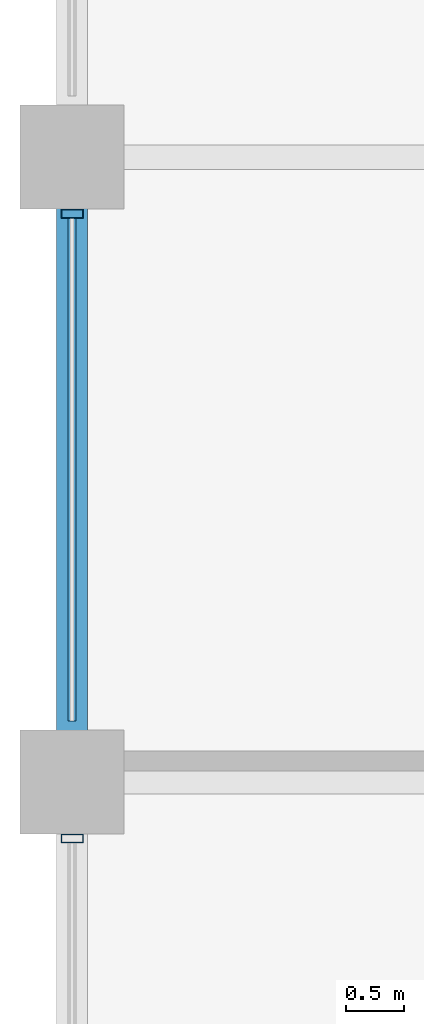
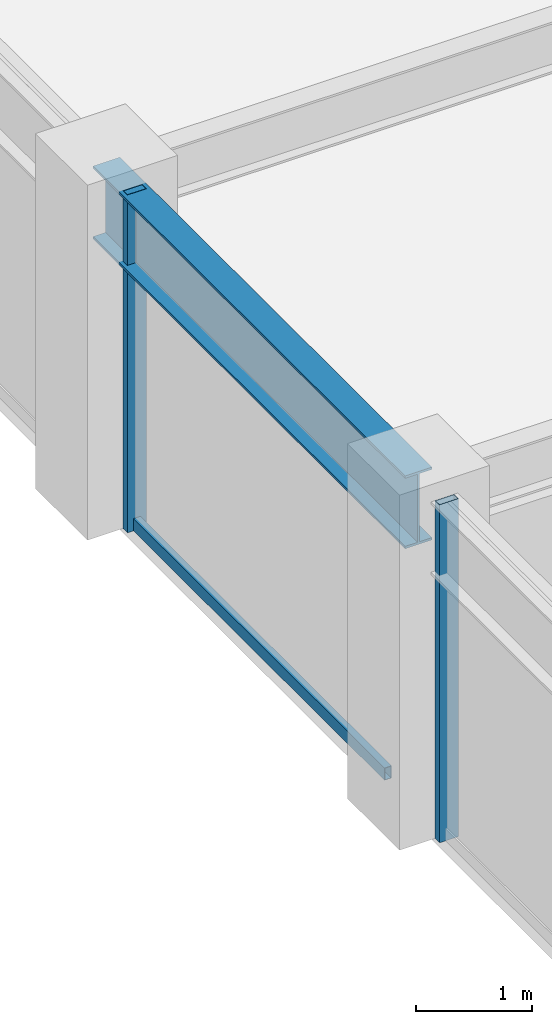
# One storey, part 10 of 32: 3 members, 1 beam, 1 element without a shape of its own.
"""IFC4 building model written with IfcOpenShell, lengths in metres."""

from ifc_helpers import new_model, si_unit, direction, frame, origin, origin_2d, place, context, subcontext, project, spatial, hollow_rectangle, i_section, extrude, material, layer, layer_set, material_profile, profile_set, type_object, element, aggregate, save


model = new_model("IFC4")

# Units and contexts
model_context = context("Model", 3, precision=1e-05, world=origin(), true_north=direction((0.0, 1.0)))
body_context = subcontext(model_context, "Body", "Model", "MODEL_VIEW")
ifc_project = project(units=[si_unit("LENGTHUNIT", "METRE"), si_unit("AREAUNIT", "SQUARE_METRE"), si_unit("VOLUMEUNIT", "CUBIC_METRE"), si_unit("PLANEANGLEUNIT", "RADIAN"), si_unit("MASSUNIT", "GRAM", prefix="KILO")], contexts=[model_context])

# Site, building, storey
site_placement = place(None, origin())
site = spatial("IfcSite", under=ifc_project, at=site_placement, CompositionType="ELEMENT")
building_placement = place(site_placement, origin())
building = spatial("IfcBuilding", under=site, at=building_placement, Name="Surkhivell Harbour Commons", CompositionType="ELEMENT")
storey_placement = place(building_placement, frame((0.0, 0.0, 212.25)))
storey = spatial("IfcBuildingStorey", under=building, at=storey_placement, Name="L55", CompositionType="ELEMENT", Elevation=212.25)

# Beam
ifc_material_1 = material(Name="Steel S355", Category="steel")
ifc_material_profile_1 = material_profile(ifc_material_1, i_section(OverallWidth=0.26806640625, OverallDepth=0.77001953125, WebThickness=0.015625, FlangeThickness=0.025390625, at=origin_2d()), Name="UB762x267x197")
ifc_profile_set_1 = profile_set([ifc_material_profile_1], Name="Steel S355")
beam_type = type_object("IfcBeamType", Name="BM-SPN-762", PredefinedType="SPANDREL", material=ifc_profile_set_1)
beam_placement = place(storey_placement, frame((-27.0, 5.39990234375, 3.18505859375), z_axis=(0.0, 1.0, 0.0), x_axis=(-1.0, 0.0, 0.0)))
element("IfcBeam", 1, at=beam_placement, inside=storey, type_object=beam_type, Name="L55 Tube Spandrel (-27.0,5.4)", PredefinedType="SPANDREL", context=body_context, shape_type="SweptSolid", body=[
    extrude(i_section(OverallWidth=0.26806640625, OverallDepth=0.77001953125, WebThickness=0.015625, FlangeThickness=0.025390625, at=origin_2d()), origin(), (0.0, 0.0, 1.0), 5.400146484375),
])

# Curtain wall, members
ifc_material_2 = material(Name="Anodised pale-metal aluminium and insulated glazing", Category="aluminium")
ifc_layer = layer(ifc_material_2, 0.18994140625)
ifc_layer_set = layer_set([ifc_layer], Name="Anodised pale-metal aluminium and insulated glazing")
curtain_wall_type = type_object("IfcCurtainWallType", Name="CW-SYS-Z3", PredefinedType="NOTDEFINED", material=ifc_layer_set)
curtain_wall_placement = place(storey_placement, origin())
curtain_wall = element("IfcCurtainWall", 2, at=curtain_wall_placement, inside=storey, type_object=curtain_wall_type, Name="L55 Curtain Wall CW-L55-E12S1", PredefinedType="NOTDEFINED")
ifc_material_3 = material(Name="Anodised pale-metal aluminium alloy 6063-T6", Category="aluminium")
ifc_material_profile_2 = material_profile(ifc_material_3, hollow_rectangle(XDim=0.074951171875, YDim=0.18994140625, WallThickness=0.00390625, at=origin_2d()), Name="ALU-MULL-75x190")
ifc_profile_set_2 = profile_set([ifc_material_profile_2], Name="Anodised pale-metal aluminium alloy 6063-T6")
member_type_1 = type_object("IfcMemberType", Name="CWM-190", PredefinedType="MULLION", material=ifc_profile_set_2)
member_1_placement = place(storey_placement, frame((-27.0, 10.310546875, 0.0), z_axis=(0.0, 0.0, 1.0), x_axis=(0.0, -1.0, 0.0)))
member_1 = element("IfcMember", 3, at=member_1_placement, type_object=member_type_1, Name="CW-Z3 mullion 3", PredefinedType="MULLION", context=body_context, shape_type="SweptSolid", body=[
    extrude(hollow_rectangle(XDim=0.074951171875, YDim=0.18994140625, WallThickness=0.00390625, at=origin_2d()), origin(), (0.0, 0.0, 1.0), 3.570068359375),
])
member_2_placement = place(storey_placement, frame((-27.0, 4.910400390625, 0.0), z_axis=(0.0, 0.0, 1.0), x_axis=(0.0, -1.0, 0.0)))
member_2 = element("IfcMember", 4, at=member_2_placement, type_object=member_type_1, Name="CW-Z3 mullion 4", PredefinedType="MULLION", context=body_context, shape_type="SweptSolid", body=[
    extrude(hollow_rectangle(XDim=0.074951171875, YDim=0.18994140625, WallThickness=0.00390625, at=origin_2d()), origin(), (0.0, 0.0, 1.0), 3.570068359375),
])
ifc_material_4 = material(Name="Champagne anodised aluminium alloy 6063-T6", Category="aluminium")
ifc_material_profile_3 = material_profile(ifc_material_4, hollow_rectangle(XDim=0.070068359375, YDim=0.1298828125, WallThickness=0.00341796875, at=origin_2d()), Name="ALU-TRAN-70x130")
ifc_profile_set_3 = profile_set([ifc_material_profile_3], Name="Champagne anodised aluminium alloy 6063-T6")
member_type_2 = type_object("IfcMemberType", Name="CWT-130", PredefinedType="USERDEFINED", material=ifc_profile_set_3)
member_3_placement = place(storey_placement, frame((-27.0, 10.27294921875, 0.06494140625), z_axis=(0.0, -1.0, 0.0), x_axis=(1.0, 0.0, 0.0)))
member_3 = element("IfcMember", 5, at=member_3_placement, type_object=member_type_2, Name="CW-Z3 transom 3.1", ObjectType="TRANSOM", PredefinedType="USERDEFINED", context=body_context, shape_type="SweptSolid", body=[
    extrude(hollow_rectangle(XDim=0.070068359375, YDim=0.1298828125, WallThickness=0.00341796875, at=origin_2d()), origin(), (0.0, 0.0, 1.0), 4.345947265625),
])
aggregate(curtain_wall, [member_1, member_3, member_2])

save(model, "model.ifc")
